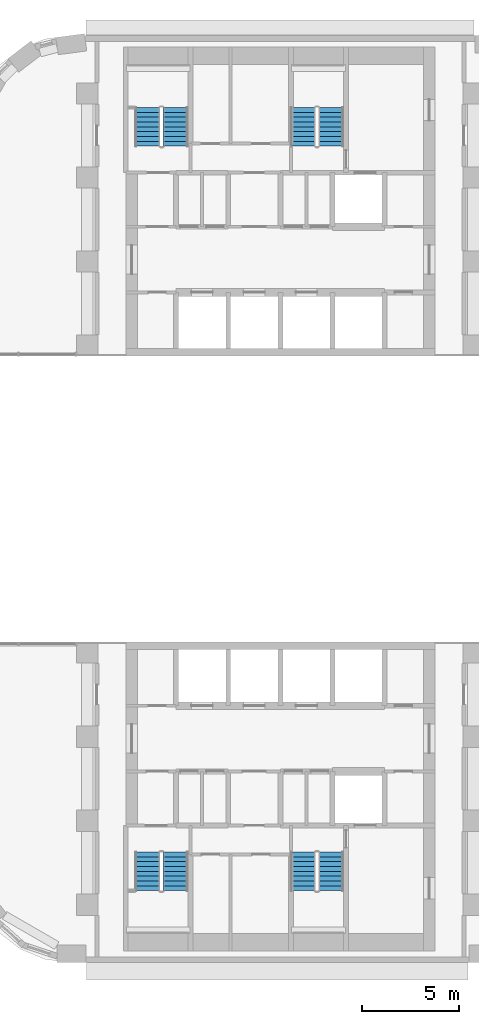
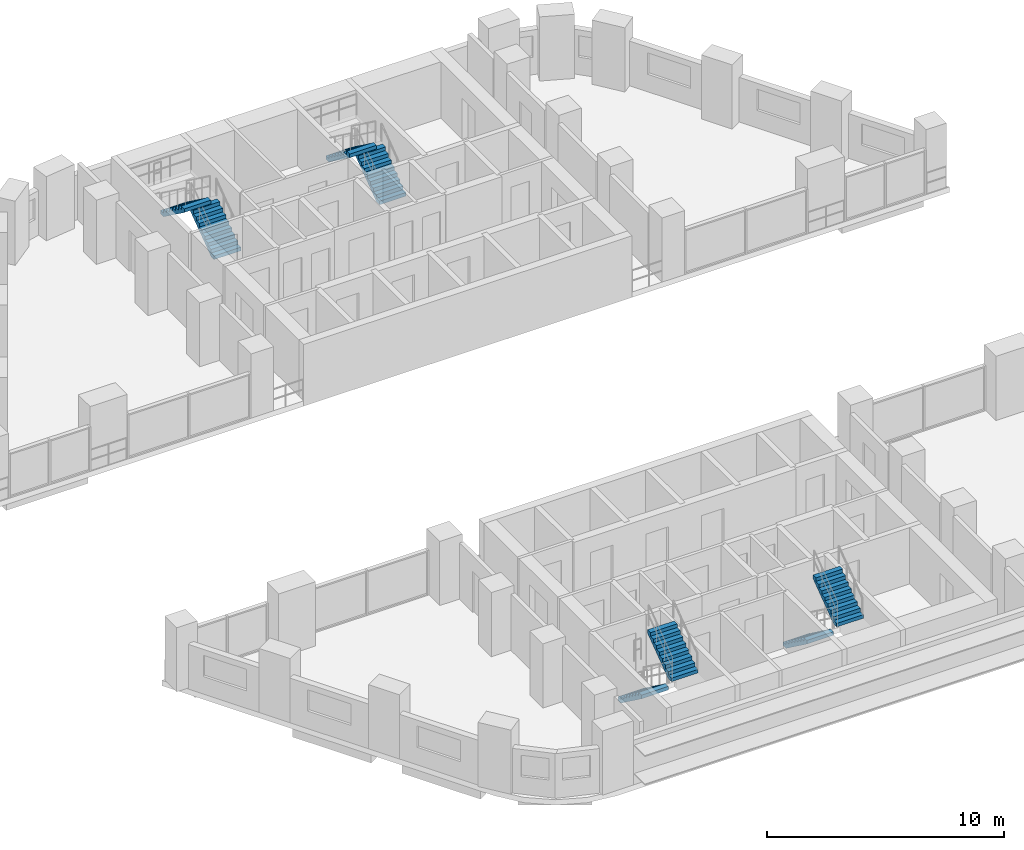
# One storey, part 9 of 11: 8 stair flights, 4 elements without a shape of their own.
"""IFC4 building model written with IfcOpenShell, lengths in metres."""

from ifc_helpers import new_model, si_unit, direction, frame, origin, place, context, subcontext, project, spatial, polyline, outline, extrude, material, type_object, element, aggregate, save


model = new_model("IFC4")

# Units and contexts
model_context = context("Model", 3, precision=1e-05, world=origin(), true_north=direction((0.0, 1.0)))
body_context = subcontext(model_context, "Body", "Model", "MODEL_VIEW")
ifc_project = project(units=[si_unit("LENGTHUNIT", "METRE"), si_unit("AREAUNIT", "SQUARE_METRE"), si_unit("VOLUMEUNIT", "CUBIC_METRE"), si_unit("PLANEANGLEUNIT", "RADIAN"), si_unit("MASSUNIT", "GRAM", prefix="KILO")], contexts=[model_context])

# Site, building, storey
site_placement = place(None, origin())
site = spatial("IfcSite", under=ifc_project, at=site_placement, CompositionType="ELEMENT")
building_placement = place(site_placement, origin())
building = spatial("IfcBuilding", under=site, at=building_placement, Name="Nakaniwa Court", CompositionType="ELEMENT")
storey_placement = place(building_placement, frame((0.0, 0.0, 34.800048828125)))
storey = spatial("IfcBuildingStorey", under=building, at=storey_placement, Name="L08", CompositionType="ELEMENT", Elevation=34.800048828125)

# Stair, stair flights
ifc_material = material(Name="Concrete C80/100", Category="concrete")
stair_type = type_object("IfcStairType", Name="Dog leg stair 1300 wide 18 risers", PredefinedType="HALF_TURN_STAIR", material=ifc_material)
stair_1_placement = place(storey_placement, origin())
stair_1 = element("IfcStair", 1, at=stair_1_placement, inside=storey, type_object=stair_type, Name="L08 Stair ST1", PredefinedType="HALF_TURN_STAIR")
stair_flight_type = type_object("IfcStairFlightType", Name="Stair flight 1300 wide 9 risers", PredefinedType="STRAIGHT", material=ifc_material)
stair_flight_1_placement = place(storey_placement, frame((74.574951171875, 98.27490234375, 0.0), z_axis=(0.0, 0.0, 1.0), x_axis=(0.0, 1.0, 0.0)))
stair_flight_1 = element("IfcStairFlight", 2, at=stair_flight_1_placement, type_object=stair_flight_type, Name="ST1 flight 1", NumberOfRisers=9, NumberOfTreads=8, PredefinedType="STRAIGHT", RiserHeight=0.183333333, TreadLength=0.25, context=body_context, shape_type="SweptSolid", body=[
    extrude(outline(polyline([(0.0, 0.0), (0.0, 0.026123046875), (0.0, 0.052490234375), (0.0, 0.07861328125), (0.0, 0.104736328125), (0.0, 0.130859375), (0.0, 0.1572265625), (0.0, 0.183349609375), (0.25, 0.183349609375), (0.25, 0.36669921875), (0.5, 0.36669921875), (0.5, 0.550048828125), (0.75, 0.550048828125), (0.75, 0.7333984375), (1.0, 0.7333984375), (1.0, 0.916748046875), (1.25, 0.916748046875), (1.25, 1.10009765625), (1.5, 1.10009765625), (1.5, 1.283447265625), (1.75, 1.283447265625), (1.75, 1.466552734375), (2.0, 1.466552734375), (2.0, 1.64990234375), (2.0, 1.59716796875), (2.0, 1.54443359375), (2.0, 1.49169921875), (2.0, 1.43896484375), (2.0, 1.38623046875), (2.0, 1.33349609375), (2.0, 1.28076171875), (0.25341796875, 0.0), (0.0, 0.0)])), frame((0.0, 0.64990234375, 0.0), z_axis=(0.0, -1.0, 0.0), x_axis=(1.0, 0.0, 0.0)), (0.0, 0.0, 1.0), 1.300048828125),
])
stair_flight_2_placement = place(storey_placement, frame((73.125, 100.27490234375, 1.64990234375), z_axis=(0.0, 0.0, 1.0), x_axis=(0.0, -1.0, 0.0)))
stair_flight_2 = element("IfcStairFlight", 3, at=stair_flight_2_placement, type_object=stair_flight_type, Name="ST1 flight 2", NumberOfRisers=9, NumberOfTreads=8, PredefinedType="STRAIGHT", RiserHeight=0.183333333, TreadLength=0.25, context=body_context, shape_type="SweptSolid", body=[
    extrude(outline(polyline([(0.0, 0.0), (0.0, 0.026123046875), (0.0, 0.052490234375), (0.0, 0.07861328125), (0.0, 0.104736328125), (0.0, 0.130859375), (0.0, 0.1572265625), (0.0, 0.183349609375), (0.25, 0.183349609375), (0.25, 0.36669921875), (0.5, 0.36669921875), (0.5, 0.550048828125), (0.75, 0.550048828125), (0.75, 0.7333984375), (1.0, 0.7333984375), (1.0, 0.916748046875), (1.25, 0.916748046875), (1.25, 1.10009765625), (1.5, 1.10009765625), (1.5, 1.283447265625), (1.75, 1.283447265625), (1.75, 1.466552734375), (2.0, 1.466552734375), (2.0, 1.64990234375), (2.0, 1.59716796875), (2.0, 1.54443359375), (2.0, 1.49169921875), (2.0, 1.43896484375), (2.0, 1.38623046875), (2.0, 1.33349609375), (2.0, 1.28076171875), (0.25341796875, 0.0), (0.0, 0.0)])), frame((0.0, 0.64990234375, 0.0), z_axis=(0.0, -1.0, 0.0), x_axis=(1.0, 0.0, 0.0)), (0.0, 0.0, 1.0), 1.300048828125),
])
aggregate(stair_1, [stair_flight_1, stair_flight_2])

stair_2_placement = place(storey_placement, origin())
stair_2 = element("IfcStair", 4, at=stair_2_placement, inside=storey, type_object=stair_type, Name="L08 Stair ST2", PredefinedType="HALF_TURN_STAIR")
stair_flight_3_placement = place(storey_placement, frame((82.625, 98.27490234375, 0.0), z_axis=(0.0, 0.0, 1.0), x_axis=(0.0, 1.0, 0.0)))
stair_flight_3 = element("IfcStairFlight", 5, at=stair_flight_3_placement, type_object=stair_flight_type, Name="ST2 flight 1", NumberOfRisers=9, NumberOfTreads=8, PredefinedType="STRAIGHT", RiserHeight=0.183333333, TreadLength=0.25, context=body_context, shape_type="SweptSolid", body=[
    extrude(outline(polyline([(0.0, 0.0), (0.0, 0.026123046875), (0.0, 0.052490234375), (0.0, 0.07861328125), (0.0, 0.104736328125), (0.0, 0.130859375), (0.0, 0.1572265625), (0.0, 0.183349609375), (0.25, 0.183349609375), (0.25, 0.36669921875), (0.5, 0.36669921875), (0.5, 0.550048828125), (0.75, 0.550048828125), (0.75, 0.7333984375), (1.0, 0.7333984375), (1.0, 0.916748046875), (1.25, 0.916748046875), (1.25, 1.10009765625), (1.5, 1.10009765625), (1.5, 1.283447265625), (1.75, 1.283447265625), (1.75, 1.466552734375), (2.0, 1.466552734375), (2.0, 1.64990234375), (2.0, 1.59716796875), (2.0, 1.54443359375), (2.0, 1.49169921875), (2.0, 1.43896484375), (2.0, 1.38623046875), (2.0, 1.33349609375), (2.0, 1.28076171875), (0.25341796875, 0.0), (0.0, 0.0)])), frame((0.0, 0.64990234375, 0.0), z_axis=(0.0, -1.0, 0.0), x_axis=(1.0, 0.0, 0.0)), (0.0, 0.0, 1.0), 1.300048828125),
])
stair_flight_4_placement = place(storey_placement, frame((81.175048828125, 100.27490234375, 1.64990234375), z_axis=(0.0, 0.0, 1.0), x_axis=(0.0, -1.0, 0.0)))
stair_flight_4 = element("IfcStairFlight", 6, at=stair_flight_4_placement, type_object=stair_flight_type, Name="ST2 flight 2", NumberOfRisers=9, NumberOfTreads=8, PredefinedType="STRAIGHT", RiserHeight=0.183333333, TreadLength=0.25, context=body_context, shape_type="SweptSolid", body=[
    extrude(outline(polyline([(0.0, 0.0), (0.0, 0.026123046875), (0.0, 0.052490234375), (0.0, 0.07861328125), (0.0, 0.104736328125), (0.0, 0.130859375), (0.0, 0.1572265625), (0.0, 0.183349609375), (0.25, 0.183349609375), (0.25, 0.36669921875), (0.5, 0.36669921875), (0.5, 0.550048828125), (0.75, 0.550048828125), (0.75, 0.7333984375), (1.0, 0.7333984375), (1.0, 0.916748046875), (1.25, 0.916748046875), (1.25, 1.10009765625), (1.5, 1.10009765625), (1.5, 1.283447265625), (1.75, 1.283447265625), (1.75, 1.466552734375), (2.0, 1.466552734375), (2.0, 1.64990234375), (2.0, 1.59716796875), (2.0, 1.54443359375), (2.0, 1.49169921875), (2.0, 1.43896484375), (2.0, 1.38623046875), (2.0, 1.33349609375), (2.0, 1.28076171875), (0.25341796875, 0.0), (0.0, 0.0)])), frame((0.0, 0.64990234375, 0.0), z_axis=(0.0, -1.0, 0.0), x_axis=(1.0, 0.0, 0.0)), (0.0, 0.0, 1.0), 1.300048828125),
])
aggregate(stair_2, [stair_flight_3, stair_flight_4])

stair_3_placement = place(storey_placement, origin())
stair_3 = element("IfcStair", 7, at=stair_3_placement, inside=storey, type_object=stair_type, Name="L08 Stair ST3", PredefinedType="HALF_TURN_STAIR")
stair_flight_5_placement = place(storey_placement, frame((73.125, 61.72509765625, 0.0), z_axis=(0.0, 0.0, 1.0), x_axis=(0.0, -1.0, 0.0)))
stair_flight_5 = element("IfcStairFlight", 8, at=stair_flight_5_placement, type_object=stair_flight_type, Name="ST3 flight 1", NumberOfRisers=9, NumberOfTreads=8, PredefinedType="STRAIGHT", RiserHeight=0.183333333, TreadLength=0.25, context=body_context, shape_type="SweptSolid", body=[
    extrude(outline(polyline([(0.0, 0.0), (0.0, 0.026123046875), (0.0, 0.052490234375), (0.0, 0.07861328125), (0.0, 0.104736328125), (0.0, 0.130859375), (0.0, 0.1572265625), (0.0, 0.183349609375), (0.25, 0.183349609375), (0.25, 0.36669921875), (0.5, 0.36669921875), (0.5, 0.550048828125), (0.75, 0.550048828125), (0.75, 0.7333984375), (1.0, 0.7333984375), (1.0, 0.916748046875), (1.25, 0.916748046875), (1.25, 1.10009765625), (1.5, 1.10009765625), (1.5, 1.283447265625), (1.75, 1.283447265625), (1.75, 1.466552734375), (2.0, 1.466552734375), (2.0, 1.64990234375), (2.0, 1.59716796875), (2.0, 1.54443359375), (2.0, 1.49169921875), (2.0, 1.43896484375), (2.0, 1.38623046875), (2.0, 1.33349609375), (2.0, 1.28076171875), (0.25341796875, 0.0), (0.0, 0.0)])), frame((0.0, 0.64990234375, 0.0), z_axis=(0.0, -1.0, 0.0), x_axis=(1.0, 0.0, 0.0)), (0.0, 0.0, 1.0), 1.300048828125),
])
stair_flight_6_placement = place(storey_placement, frame((74.574951171875, 59.72509765625, 1.64990234375), z_axis=(0.0, 0.0, 1.0), x_axis=(0.0, 1.0, 0.0)))
stair_flight_6 = element("IfcStairFlight", 9, at=stair_flight_6_placement, type_object=stair_flight_type, Name="ST3 flight 2", NumberOfRisers=9, NumberOfTreads=8, PredefinedType="STRAIGHT", RiserHeight=0.183333333, TreadLength=0.25, context=body_context, shape_type="SweptSolid", body=[
    extrude(outline(polyline([(0.0, 0.0), (0.0, 0.026123046875), (0.0, 0.052490234375), (0.0, 0.07861328125), (0.0, 0.104736328125), (0.0, 0.130859375), (0.0, 0.1572265625), (0.0, 0.183349609375), (0.25, 0.183349609375), (0.25, 0.36669921875), (0.5, 0.36669921875), (0.5, 0.550048828125), (0.75, 0.550048828125), (0.75, 0.7333984375), (1.0, 0.7333984375), (1.0, 0.916748046875), (1.25, 0.916748046875), (1.25, 1.10009765625), (1.5, 1.10009765625), (1.5, 1.283447265625), (1.75, 1.283447265625), (1.75, 1.466552734375), (2.0, 1.466552734375), (2.0, 1.64990234375), (2.0, 1.59716796875), (2.0, 1.54443359375), (2.0, 1.49169921875), (2.0, 1.43896484375), (2.0, 1.38623046875), (2.0, 1.33349609375), (2.0, 1.28076171875), (0.25341796875, 0.0), (0.0, 0.0)])), frame((0.0, 0.64990234375, 0.0), z_axis=(0.0, -1.0, 0.0), x_axis=(1.0, 0.0, 0.0)), (0.0, 0.0, 1.0), 1.300048828125),
])
aggregate(stair_3, [stair_flight_5, stair_flight_6])

stair_4_placement = place(storey_placement, origin())
stair_4 = element("IfcStair", 10, at=stair_4_placement, inside=storey, type_object=stair_type, Name="L08 Stair ST4", PredefinedType="HALF_TURN_STAIR")
stair_flight_7_placement = place(storey_placement, frame((81.175048828125, 61.72509765625, 0.0), z_axis=(0.0, 0.0, 1.0), x_axis=(0.0, -1.0, 0.0)))
stair_flight_7 = element("IfcStairFlight", 11, at=stair_flight_7_placement, type_object=stair_flight_type, Name="ST4 flight 1", NumberOfRisers=9, NumberOfTreads=8, PredefinedType="STRAIGHT", RiserHeight=0.183333333, TreadLength=0.25, context=body_context, shape_type="SweptSolid", body=[
    extrude(outline(polyline([(0.0, 0.0), (0.0, 0.026123046875), (0.0, 0.052490234375), (0.0, 0.07861328125), (0.0, 0.104736328125), (0.0, 0.130859375), (0.0, 0.1572265625), (0.0, 0.183349609375), (0.25, 0.183349609375), (0.25, 0.36669921875), (0.5, 0.36669921875), (0.5, 0.550048828125), (0.75, 0.550048828125), (0.75, 0.7333984375), (1.0, 0.7333984375), (1.0, 0.916748046875), (1.25, 0.916748046875), (1.25, 1.10009765625), (1.5, 1.10009765625), (1.5, 1.283447265625), (1.75, 1.283447265625), (1.75, 1.466552734375), (2.0, 1.466552734375), (2.0, 1.64990234375), (2.0, 1.59716796875), (2.0, 1.54443359375), (2.0, 1.49169921875), (2.0, 1.43896484375), (2.0, 1.38623046875), (2.0, 1.33349609375), (2.0, 1.28076171875), (0.25341796875, 0.0), (0.0, 0.0)])), frame((0.0, 0.64990234375, 0.0), z_axis=(0.0, -1.0, 0.0), x_axis=(1.0, 0.0, 0.0)), (0.0, 0.0, 1.0), 1.300048828125),
])
stair_flight_8_placement = place(storey_placement, frame((82.625, 59.72509765625, 1.64990234375), z_axis=(0.0, 0.0, 1.0), x_axis=(0.0, 1.0, 0.0)))
stair_flight_8 = element("IfcStairFlight", 12, at=stair_flight_8_placement, type_object=stair_flight_type, Name="ST4 flight 2", NumberOfRisers=9, NumberOfTreads=8, PredefinedType="STRAIGHT", RiserHeight=0.183333333, TreadLength=0.25, context=body_context, shape_type="SweptSolid", body=[
    extrude(outline(polyline([(0.0, 0.0), (0.0, 0.026123046875), (0.0, 0.052490234375), (0.0, 0.07861328125), (0.0, 0.104736328125), (0.0, 0.130859375), (0.0, 0.1572265625), (0.0, 0.183349609375), (0.25, 0.183349609375), (0.25, 0.36669921875), (0.5, 0.36669921875), (0.5, 0.550048828125), (0.75, 0.550048828125), (0.75, 0.7333984375), (1.0, 0.7333984375), (1.0, 0.916748046875), (1.25, 0.916748046875), (1.25, 1.10009765625), (1.5, 1.10009765625), (1.5, 1.283447265625), (1.75, 1.283447265625), (1.75, 1.466552734375), (2.0, 1.466552734375), (2.0, 1.64990234375), (2.0, 1.59716796875), (2.0, 1.54443359375), (2.0, 1.49169921875), (2.0, 1.43896484375), (2.0, 1.38623046875), (2.0, 1.33349609375), (2.0, 1.28076171875), (0.25341796875, 0.0), (0.0, 0.0)])), frame((0.0, 0.64990234375, 0.0), z_axis=(0.0, -1.0, 0.0), x_axis=(1.0, 0.0, 0.0)), (0.0, 0.0, 1.0), 1.300048828125),
])
aggregate(stair_4, [stair_flight_7, stair_flight_8])

save(model, "model.ifc")
